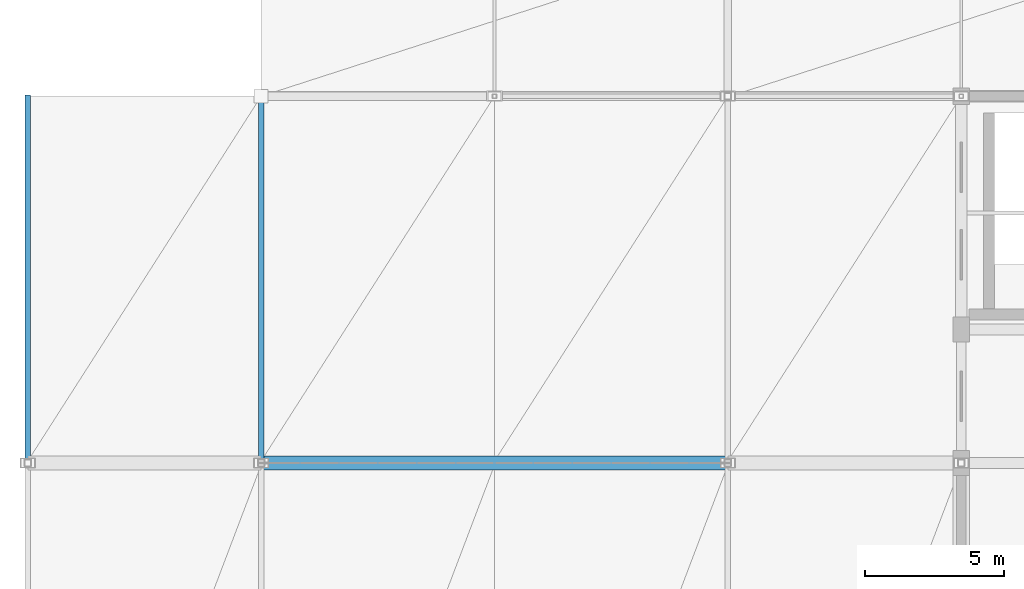
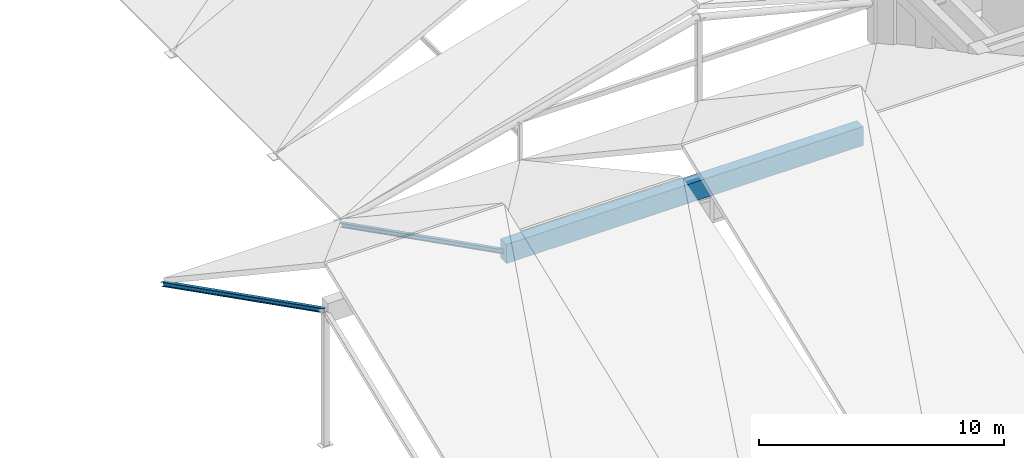
# One storey, part 6 of 76: 2 members, 1 beam.
"""IFC4 building model written with IfcOpenShell, lengths in metres."""

from ifc_helpers import new_model, si_unit, direction, frame, origin, origin_2d, place, context, subcontext, project, spatial, rectangle, i_section, extrude, material, material_profile, profile_set, type_object, element, save


model = new_model("IFC4")

# Units and contexts
model_context = context("Model", 3, precision=1e-05, world=origin(), true_north=direction((0.0, 1.0)))
body_context = subcontext(model_context, "Body", "Model", "MODEL_VIEW")
ifc_project = project(units=[si_unit("LENGTHUNIT", "METRE"), si_unit("AREAUNIT", "SQUARE_METRE"), si_unit("VOLUMEUNIT", "CUBIC_METRE"), si_unit("PLANEANGLEUNIT", "RADIAN"), si_unit("MASSUNIT", "GRAM", prefix="KILO")], contexts=[model_context])

# Site, building, storey
site_placement = place(None, origin())
site = spatial("IfcSite", under=ifc_project, at=site_placement, CompositionType="ELEMENT")
building_placement = place(site_placement, origin())
building = spatial("IfcBuilding", under=site, at=building_placement, Name="Krzemoval Escarpment Law Courts", CompositionType="ELEMENT")
storey_placement = place(building_placement, frame((0.0, 0.0, 20.39990234375)))
storey = spatial("IfcBuildingStorey", under=building, at=storey_placement, Name="L04", CompositionType="ELEMENT", Elevation=20.39990234375)

# Beam
ifc_material_1 = material(Name="Concrete C50/60", Category="concrete")
ifc_material_profile_1 = material_profile(ifc_material_1, rectangle(XDim=0.5, YDim=0.949951171875, at=origin_2d()), Name="FPR 500x950")
ifc_profile_set_1 = profile_set([ifc_material_profile_1], Name="Concrete C50/60")
beam_type = type_object("IfcBeamType", Name="BM-FPR-500x950", PredefinedType="BEAM", material=ifc_profile_set_1)
beam_placement = place(storey_placement, frame((8.39990234375, 22.199951171875, 6.400146484375), z_axis=(1.0, 0.0, 0.0), x_axis=(0.0, 1.0, 0.0)))
element("IfcBeam", 1, at=beam_placement, inside=storey, type_object=beam_type, Name="Folded Roof Ridge Beam RB-2826", PredefinedType="BEAM", context=body_context, shape_type="SweptSolid", body=[
    extrude(rectangle(XDim=0.5, YDim=0.949951171875, at=origin_2d()), origin(), (0.0, 0.0, 1.0), 16.800048828125),
])

# Members
ifc_material_2 = material(Name="Steel S355", Category="steel")
ifc_material_profile_2 = material_profile(ifc_material_2, i_section(OverallWidth=0.199951171875, OverallDepth=0.199951171875, WebThickness=0.009033203125, FlangeThickness=0.014892578125, at=origin_2d()), Name="HEB 200")
ifc_profile_set_2 = profile_set([ifc_material_profile_2], Name="Steel S355")
member_type = type_object("IfcMemberType", Name="MBR-COL-HEB200", PredefinedType="COLLAR", material=ifc_profile_set_2)
for number, where, z_axis, x_axis, name in (
    (2, (0.0, 22.199951171875, 6.400146484375), (0.0, 0.892254878415, -0.451532094037), (-1.0, 0.0, 0.0), "Plenary Roof Rafter Tie CL-0080"),
    (3, (8.39990234375, 22.199951171875, 6.400146484375), (0.0, 0.892254878415, -0.451532094037), (-1.0, 0.0, 0.0), "Plenary Roof Rafter Tie CL-0082"),
):
    element("IfcMember", number, at=place(storey_placement, frame(where, z_axis=z_axis, x_axis=x_axis)), inside=storey, type_object=member_type, Name=name, PredefinedType="COLLAR", context=body_context, shape_type="SweptSolid", body=[
        extrude(i_section(OverallWidth=0.199951171875, OverallDepth=0.199951171875, WebThickness=0.009033203125, FlangeThickness=0.014892578125, at=origin_2d()), origin(), (0.0, 0.0, 1.0), 14.7939453125),
    ])

save(model, "model.ifc")
